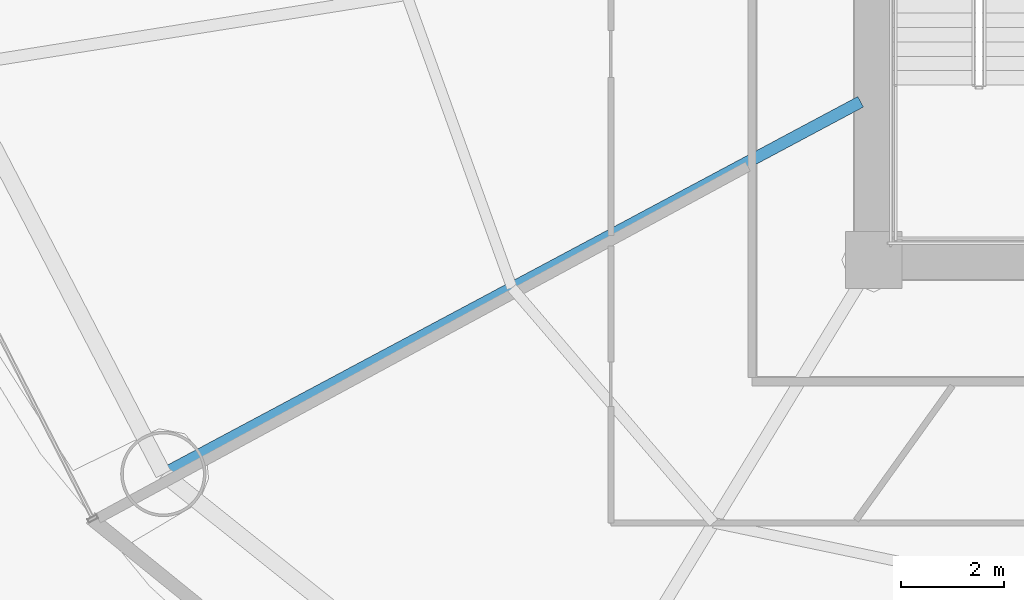
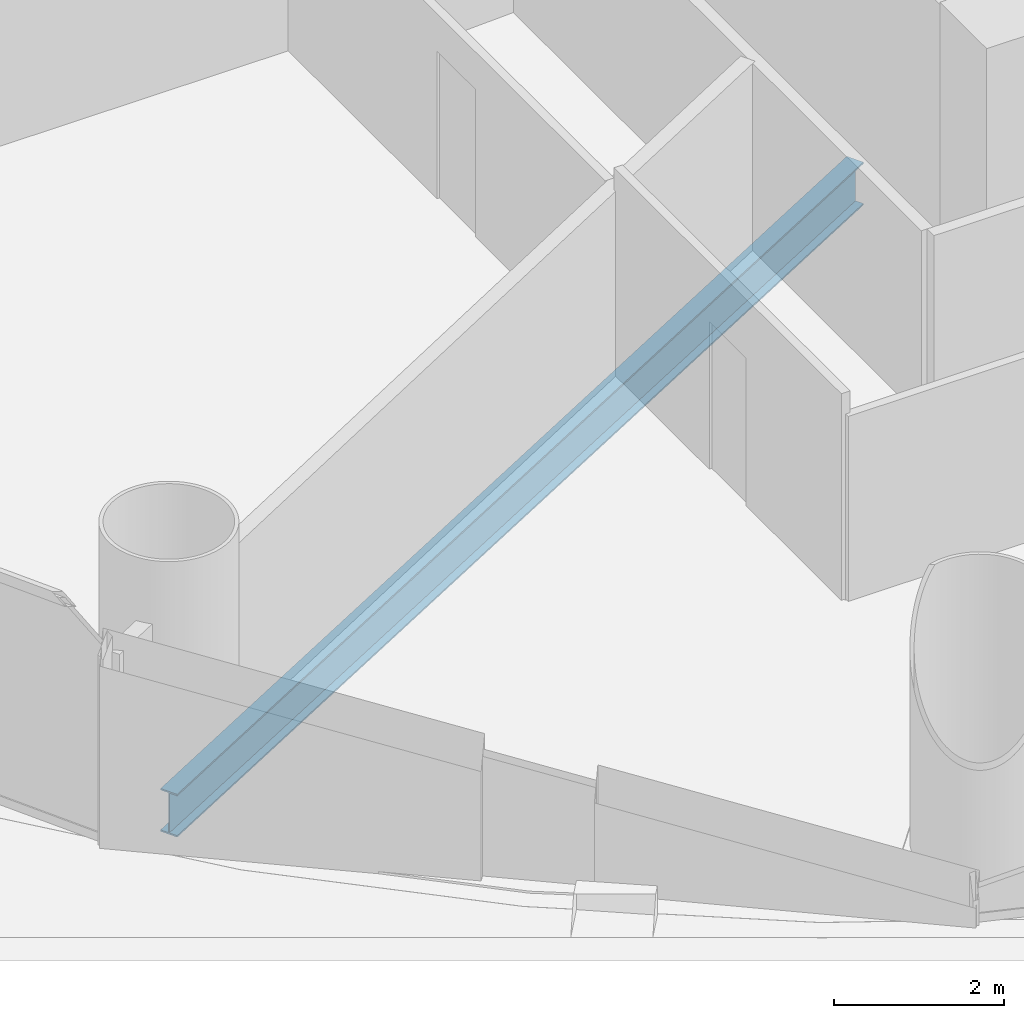
# One storey, part 4 of 30: 1 beam.
"""IFC4 building model written with IfcOpenShell, lengths in metres."""

from ifc_helpers import new_model, si_unit, direction, frame, origin, origin_2d, place, context, subcontext, project, spatial, i_section, extrude, material, material_profile, profile_set, type_object, element, save


model = new_model("IFC4")

# Units and contexts
model_context = context("Model", 3, precision=1e-05, world=origin(), true_north=direction((-0.2419218956, 0.970295726276)))
body_context = subcontext(model_context, "Body", "Model", "MODEL_VIEW")
ifc_project = project(units=[si_unit("LENGTHUNIT", "METRE"), si_unit("AREAUNIT", "SQUARE_METRE"), si_unit("VOLUMEUNIT", "CUBIC_METRE"), si_unit("PLANEANGLEUNIT", "RADIAN"), si_unit("MASSUNIT", "GRAM", prefix="KILO")], contexts=[model_context])

# Site, building, storey
site_placement = place(None, origin())
site = spatial("IfcSite", under=ifc_project, at=site_placement, CompositionType="ELEMENT")
building_placement = place(site_placement, origin())
building = spatial("IfcBuilding", under=site, at=building_placement, Name="Cobrevalo Terracotta Tower", CompositionType="ELEMENT")
storey_placement = place(building_placement, frame((0.0, 0.0, 56.39990234375)))
storey = spatial("IfcBuildingStorey", under=building, at=storey_placement, Name="L14", CompositionType="ELEMENT", Elevation=56.39990234375)

# Beam
ifc_material = material(Name="Steel S355", Category="steel")
ifc_material_profile = material_profile(ifc_material, i_section(OverallWidth=0.22998046875, OverallDepth=0.616943359375, WebThickness=0.01318359375, FlangeThickness=0.022216796875, at=origin_2d()), Name="W 610x140")
ifc_profile_set = profile_set([ifc_material_profile], Name="Steel S355")
beam_type = type_object("IfcBeamType", Name="Structural Beam W 610x140 (Steel S355)", PredefinedType="BEAM", material=ifc_profile_set)
beam_placement = place(storey_placement, frame((15.25927734375, 14.660888671875, -0.58837890625), z_axis=(0.88218223571, 0.470908168329, 0.0), x_axis=(-0.470908168329, 0.88218223571, 0.0)))
element("IfcBeam", 1, at=beam_placement, inside=storey, type_object=beam_type, Name="L14 radial floor girder 10", PredefinedType="BEAM", context=body_context, shape_type="SweptSolid", body=[
    extrude(i_section(OverallWidth=0.22998046875, OverallDepth=0.616943359375, WebThickness=0.01318359375, FlangeThickness=0.022216796875, at=origin_2d()), origin(), (0.0, 0.0, 1.0), 15.286865234375),
])

save(model, "model.ifc")
